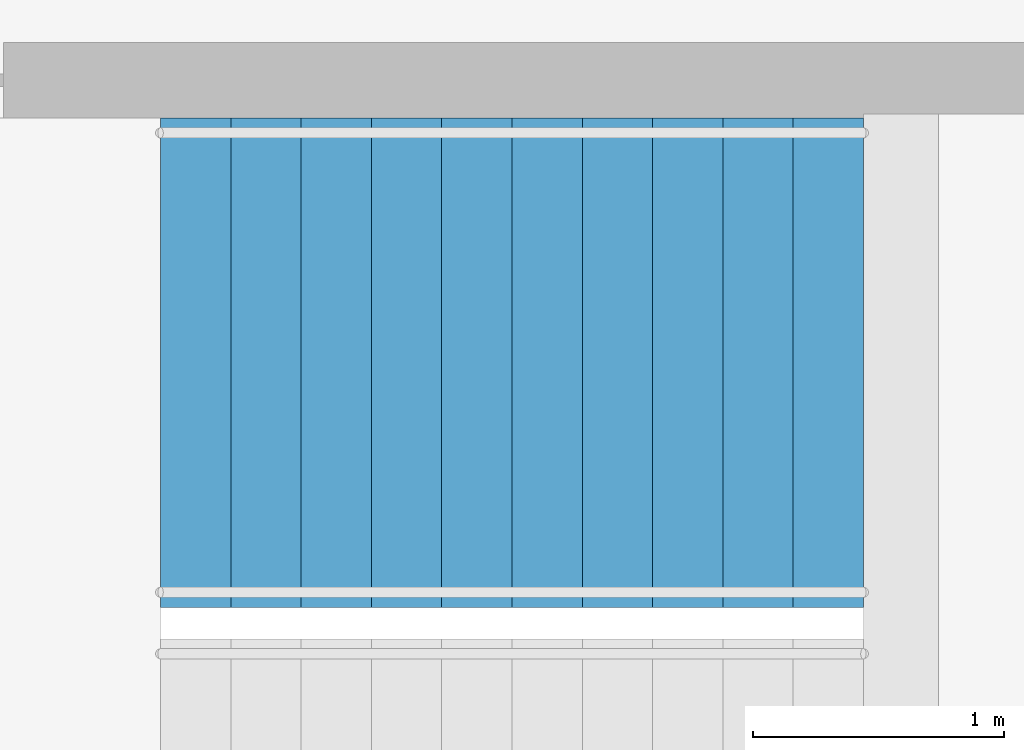
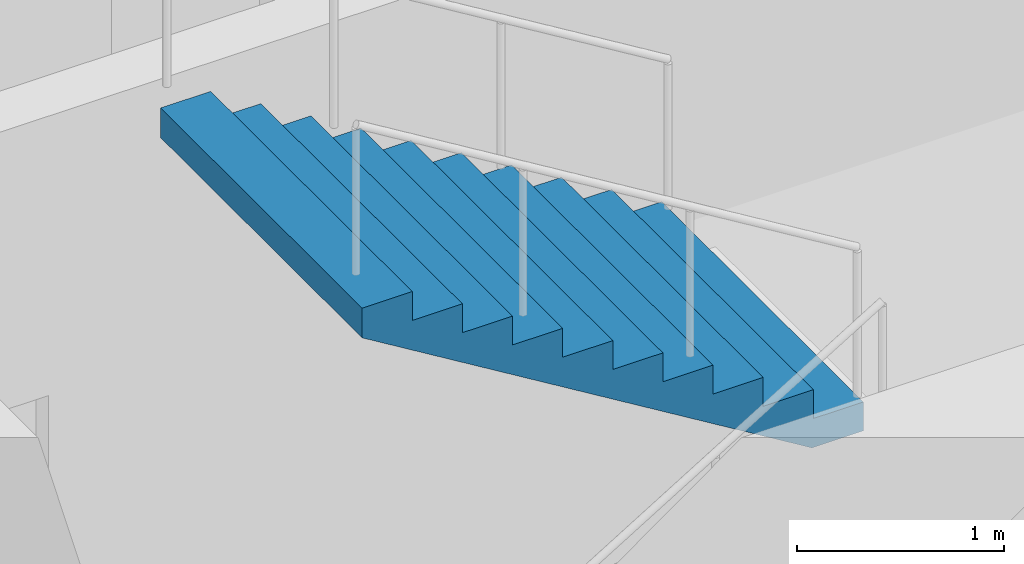
# One storey, part 19 of 22: 1 stair flight, 1 element without a shape of its own.
"""IFC4 building model written with IfcOpenShell, lengths in metres."""

from ifc_helpers import new_model, si_unit, direction, frame, origin, place, context, subcontext, project, spatial, triangles, material, type_object, element, aggregate, save


model = new_model("IFC4")

# Units and contexts
model_context = context("Model", 3, precision=1e-05, world=origin(), true_north=direction((0.0, 1.0)))
body_context = subcontext(model_context, "Body", "Model", "MODEL_VIEW")
ifc_project = project(units=[si_unit("LENGTHUNIT", "METRE"), si_unit("AREAUNIT", "SQUARE_METRE"), si_unit("VOLUMEUNIT", "CUBIC_METRE"), si_unit("PLANEANGLEUNIT", "RADIAN"), si_unit("MASSUNIT", "GRAM", prefix="KILO")], contexts=[model_context])

# Site, building, storey
site_placement = place(None, origin())
site = spatial("IfcSite", under=ifc_project, at=site_placement, CompositionType="ELEMENT")
building_placement = place(site_placement, origin())
building = spatial("IfcBuilding", under=site, at=building_placement, Name="Orbita Commons", CompositionType="ELEMENT")
storey_placement = place(building_placement, frame((0.0, 0.0, 186.10009765625)))
storey = spatial("IfcBuildingStorey", under=building, at=storey_placement, Name="L46", CompositionType="ELEMENT", Elevation=186.10009765625)

# Stair, stair flight
ifc_material_1 = material(Name="Precast concrete C40/50", Category="concrete")
stair_type = type_object("IfcStairType", Name="Exit stair S1 2 flights 11 risers 170", PredefinedType="HALF_TURN_STAIR", material=ifc_material_1)
stair_placement = place(storey_placement, origin())
stair = element("IfcStair", 1, at=stair_placement, inside=storey, type_object=stair_type, Name="Exit stair S1 L46", PredefinedType="HALF_TURN_STAIR")
ifc_material_2 = material(Name="Precast concrete C40/50", Category="concrete")
stair_flight_type = type_object("IfcStairFlightType", Name="Stair flight 11 risers 170 x 280", PredefinedType="STRAIGHT", material=ifc_material_2)
stair_flight_placement = place(storey_placement, frame((23.25, 29.27490234375, 1.875), z_axis=(0.0, 0.0, 1.0), x_axis=(-1.0, 0.0, 0.0)))
stair_flight = element("IfcStairFlight", 2, at=stair_flight_placement, type_object=stair_flight_type, Name="S1 flight 2", NumberOfRisers=11, NumberOfTreads=10, PredefinedType="STRAIGHT", RiserHeight=0.170454545, TreadLength=0.28, context=body_context, shape_type="Tessellation", body=[
    triangles([(0.0, 0.974976, 0.0), (0.0, 0.974976, 0.021307), (0.0, 0.81248, 0.021307), (0.0, 0.81248, 0.0), (0.0, 0.649984, 0.021307), (0.0, 0.649984, 0.0), (0.0, 0.487488, 0.021307), (0.0, 0.487488, 0.0), (0.0, 0.324992, 0.021307), (0.0, 0.324992, 0.0), (0.0, 0.162496, 0.021307), (0.0, 0.162496, 0.0), (0.0, 0.0, 0.021307), (0.0, 0.0, 0.0), (0.0, -0.162496, 0.021307), (0.0, -0.162496, 0.0), (0.0, -0.324992, 0.021307), (0.0, -0.324992, 0.0), (0.0, -0.487488, 0.021307), (0.0, -0.487488, 0.0), (0.0, -0.649984, 0.021307), (0.0, -0.649984, 0.0), (0.0, -0.81248, 0.021307), (0.0, -0.81248, 0.0), (0.0, -0.974976, 0.021307), (0.0, -0.974976, 0.0), (0.0, 0.974976, 0.042614), (0.0, 0.81248, 0.042614), (0.0, 0.649984, 0.042614), (0.0, 0.487488, 0.042614), (0.0, 0.324992, 0.042614), (0.0, 0.162496, 0.042614), (0.0, 0.0, 0.042614), (0.0, -0.162496, 0.042614), (0.0, -0.324992, 0.042614), (0.0, -0.487488, 0.042614), (0.0, -0.649984, 0.042614), (0.0, -0.81248, 0.042614), (0.0, -0.974976, 0.042614), (0.0, 0.974976, 0.06392), (0.0, 0.81248, 0.06392), (0.0, 0.649984, 0.06392), (0.0, 0.487488, 0.06392), (0.0, 0.324992, 0.06392), (0.0, 0.162496, 0.06392), (0.0, 0.0, 0.06392), (0.0, -0.162496, 0.06392), (0.0, -0.324992, 0.06392), (0.0, -0.487488, 0.06392), (0.0, -0.649984, 0.06392), (0.0, -0.81248, 0.06392), (0.0, -0.974976, 0.06392), (0.0, 0.974976, 0.085227), (0.0, 0.81248, 0.085227), (0.0, 0.649984, 0.085227), (0.0, 0.487488, 0.085227), (0.0, 0.324992, 0.085227), (0.0, 0.162496, 0.085227), (0.0, 0.0, 0.085227), (0.0, -0.162496, 0.085227), (0.0, -0.324992, 0.085227), (0.0, -0.487488, 0.085227), (0.0, -0.649984, 0.085227), (0.0, -0.81248, 0.085227), (0.0, -0.974976, 0.085227), (0.0, 0.974976, 0.106534), (0.0, 0.81248, 0.106534), (0.0, 0.649984, 0.106534), (0.0, 0.487488, 0.106534), (0.0, 0.324992, 0.106534), (0.0, 0.162496, 0.106534), (0.0, 0.0, 0.106534), (0.0, -0.162496, 0.106534), (0.0, -0.324992, 0.106534), (0.0, -0.487488, 0.106534), (0.0, -0.649984, 0.106534), (0.0, -0.81248, 0.106534), (0.0, -0.974976, 0.106534), (0.0, 0.974976, 0.127841), (0.0, 0.81248, 0.127841), (0.0, 0.649984, 0.127841), (0.0, 0.487488, 0.127841), (0.0, 0.324992, 0.127841), (0.0, 0.162496, 0.127841), (0.0, 0.0, 0.127841), (0.0, -0.162496, 0.127841), (0.0, -0.324992, 0.127841), (0.0, -0.487488, 0.127841), (0.0, -0.649984, 0.127841), (0.0, -0.81248, 0.127841), (0.0, -0.974976, 0.127841), (0.0, 0.974976, 0.149148), (0.0, 0.81248, 0.149148), (0.0, 0.649984, 0.149148), (0.0, 0.487488, 0.149148), (0.0, 0.324992, 0.149148), (0.0, 0.162496, 0.149148), (0.0, 0.0, 0.149148), (0.0, -0.162496, 0.149148), (0.0, -0.324992, 0.149148), (0.0, -0.487488, 0.149148), (0.0, -0.649984, 0.149148), (0.0, -0.81248, 0.149148), (0.0, -0.974976, 0.149148), (0.0, 0.974976, 0.170455), (0.0, 0.81248, 0.170455), (0.0, 0.649984, 0.170455), (0.0, 0.487488, 0.170455), (0.0, 0.324992, 0.170455), (0.0, 0.162496, 0.170455), (0.0, 0.0, 0.170455), (0.0, -0.162496, 0.170455), (0.0, -0.324992, 0.170455), (0.0, -0.487488, 0.170455), (0.0, -0.649984, 0.170455), (0.0, -0.81248, 0.170455), (0.0, -0.974976, 0.170455), (0.28, 0.974976, 0.170455), (0.28, 0.81248, 0.170455), (0.28, 0.649984, 0.170455), (0.28, 0.487488, 0.170455), (0.28, 0.324992, 0.170455), (0.28, 0.162496, 0.170455), (0.28, 0.0, 0.170455), (0.28, -0.162496, 0.170455), (0.28, -0.324992, 0.170455), (0.28, -0.487488, 0.170455), (0.28, -0.649984, 0.170455), (0.28, -0.81248, 0.170455), (0.28, -0.974976, 0.170455), (0.28, 0.974976, 0.340909), (0.28, 0.81248, 0.340909), (0.28, 0.649984, 0.340909), (0.28, 0.487488, 0.340909), (0.28, 0.324992, 0.340909), (0.28, 0.162496, 0.340909), (0.28, 0.0, 0.340909), (0.28, -0.162496, 0.340909), (0.28, -0.324992, 0.340909), (0.28, -0.487488, 0.340909), (0.28, -0.649984, 0.340909), (0.28, -0.81248, 0.340909), (0.28, -0.974976, 0.340909), (0.56, 0.974976, 0.340909), (0.56, 0.81248, 0.340909), (0.56, 0.649984, 0.340909), (0.56, 0.487488, 0.340909), (0.56, 0.324992, 0.340909), (0.56, 0.162496, 0.340909), (0.56, 0.0, 0.340909), (0.56, -0.162496, 0.340909), (0.56, -0.324992, 0.340909), (0.56, -0.487488, 0.340909), (0.56, -0.649984, 0.340909), (0.56, -0.81248, 0.340909), (0.56, -0.974976, 0.340909), (0.56, 0.974976, 0.511364), (0.56, 0.81248, 0.511364), (0.56, 0.649984, 0.511364), (0.56, 0.487488, 0.511364), (0.56, 0.324992, 0.511364), (0.56, 0.162496, 0.511364), (0.56, 0.0, 0.511364), (0.56, -0.162496, 0.511364), (0.56, -0.324992, 0.511364), (0.56, -0.487488, 0.511364), (0.56, -0.649984, 0.511364), (0.56, -0.81248, 0.511364), (0.56, -0.974976, 0.511364), (0.84, 0.974976, 0.511364), (0.84, 0.81248, 0.511364), (0.84, 0.649984, 0.511364), (0.84, 0.487488, 0.511364), (0.84, 0.324992, 0.511364), (0.84, 0.162496, 0.511364), (0.84, 0.0, 0.511364), (0.84, -0.162496, 0.511364), (0.84, -0.324992, 0.511364), (0.84, -0.487488, 0.511364), (0.84, -0.649984, 0.511364), (0.84, -0.81248, 0.511364), (0.84, -0.974976, 0.511364), (0.84, 0.974976, 0.681818), (0.84, 0.81248, 0.681818), (0.84, 0.649984, 0.681818), (0.84, 0.487488, 0.681818), (0.84, 0.324992, 0.681818), (0.84, 0.162496, 0.681818), (0.84, 0.0, 0.681818), (0.84, -0.162496, 0.681818), (0.84, -0.324992, 0.681818), (0.84, -0.487488, 0.681818), (0.84, -0.649984, 0.681818), (0.84, -0.81248, 0.681818), (0.84, -0.974976, 0.681818), (1.12, 0.974976, 0.681818), (1.12, 0.81248, 0.681818), (1.12, 0.649984, 0.681818), (1.12, 0.487488, 0.681818), (1.12, 0.324992, 0.681818), (1.12, 0.162496, 0.681818), (1.12, 0.0, 0.681818), (1.12, -0.162496, 0.681818), (1.12, -0.324992, 0.681818), (1.12, -0.487488, 0.681818), (1.12, -0.649984, 0.681818), (1.12, -0.81248, 0.681818), (1.12, -0.974976, 0.681818), (1.12, 0.974976, 0.852273), (1.12, 0.81248, 0.852273), (1.12, 0.649984, 0.852273), (1.12, 0.487488, 0.852273), (1.12, 0.324992, 0.852273), (1.12, 0.162496, 0.852273), (1.12, 0.0, 0.852273), (1.12, -0.162496, 0.852273), (1.12, -0.324992, 0.852273), (1.12, -0.487488, 0.852273), (1.12, -0.649984, 0.852273), (1.12, -0.81248, 0.852273), (1.12, -0.974976, 0.852273), (1.4, 0.974976, 0.852273), (1.4, 0.81248, 0.852273), (1.4, 0.649984, 0.852273), (1.4, 0.487488, 0.852273), (1.4, 0.324992, 0.852273), (1.4, 0.162496, 0.852273), (1.4, 0.0, 0.852273), (1.4, -0.162496, 0.852273), (1.4, -0.324992, 0.852273), (1.4, -0.487488, 0.852273), (1.4, -0.649984, 0.852273), (1.4, -0.81248, 0.852273), (1.4, -0.974976, 0.852273), (1.4, 0.974976, 1.022727), (1.4, 0.81248, 1.022727), (1.4, 0.649984, 1.022727), (1.4, 0.487488, 1.022727), (1.4, 0.324992, 1.022727), (1.4, 0.162496, 1.022727), (1.4, 0.0, 1.022727), (1.4, -0.162496, 1.022727), (1.4, -0.324992, 1.022727), (1.4, -0.487488, 1.022727), (1.4, -0.649984, 1.022727), (1.4, -0.81248, 1.022727), (1.4, -0.974976, 1.022727), (1.68, 0.974976, 1.022727), (1.68, 0.81248, 1.022727), (1.68, 0.649984, 1.022727), (1.68, 0.487488, 1.022727), (1.68, 0.324992, 1.022727), (1.68, 0.162496, 1.022727), (1.68, 0.0, 1.022727), (1.68, -0.162496, 1.022727), (1.68, -0.324992, 1.022727), (1.68, -0.487488, 1.022727), (1.68, -0.649984, 1.022727), (1.68, -0.81248, 1.022727), (1.68, -0.974976, 1.022727), (1.68, 0.974976, 1.193182), (1.68, 0.81248, 1.193182), (1.68, 0.649984, 1.193182), (1.68, 0.487488, 1.193182), (1.68, 0.324992, 1.193182), (1.68, 0.162496, 1.193182), (1.68, 0.0, 1.193182), (1.68, -0.162496, 1.193182), (1.68, -0.324992, 1.193182), (1.68, -0.487488, 1.193182), (1.68, -0.649984, 1.193182), (1.68, -0.81248, 1.193182), (1.68, -0.974976, 1.193182), (1.96, 0.974976, 1.193182), (1.96, 0.81248, 1.193182), (1.96, 0.649984, 1.193182), (1.96, 0.487488, 1.193182), (1.96, 0.324992, 1.193182), (1.96, 0.162496, 1.193182), (1.96, 0.0, 1.193182), (1.96, -0.162496, 1.193182), (1.96, -0.324992, 1.193182), (1.96, -0.487488, 1.193182), (1.96, -0.649984, 1.193182), (1.96, -0.81248, 1.193182), (1.96, -0.974976, 1.193182), (1.96, 0.974976, 1.363636), (1.96, 0.81248, 1.363636), (1.96, 0.649984, 1.363636), (1.96, 0.487488, 1.363636), (1.96, 0.324992, 1.363636), (1.96, 0.162496, 1.363636), (1.96, 0.0, 1.363636), (1.96, -0.162496, 1.363636), (1.96, -0.324992, 1.363636), (1.96, -0.487488, 1.363636), (1.96, -0.649984, 1.363636), (1.96, -0.81248, 1.363636), (1.96, -0.974976, 1.363636), (2.24, 0.974976, 1.363636), (2.24, 0.81248, 1.363636), (2.24, 0.649984, 1.363636), (2.24, 0.487488, 1.363636), (2.24, 0.324992, 1.363636), (2.24, 0.162496, 1.363636), (2.24, 0.0, 1.363636), (2.24, -0.162496, 1.363636), (2.24, -0.324992, 1.363636), (2.24, -0.487488, 1.363636), (2.24, -0.649984, 1.363636), (2.24, -0.81248, 1.363636), (2.24, -0.974976, 1.363636), (2.24, 0.974976, 1.534091), (2.24, 0.81248, 1.534091), (2.24, 0.649984, 1.534091), (2.24, 0.487488, 1.534091), (2.24, 0.324992, 1.534091), (2.24, 0.162496, 1.534091), (2.24, 0.0, 1.534091), (2.24, -0.162496, 1.534091), (2.24, -0.324992, 1.534091), (2.24, -0.487488, 1.534091), (2.24, -0.649984, 1.534091), (2.24, -0.81248, 1.534091), (2.24, -0.974976, 1.534091), (2.52, 0.974976, 1.534091), (2.52, 0.81248, 1.534091), (2.52, 0.649984, 1.534091), (2.52, 0.487488, 1.534091), (2.52, 0.324992, 1.534091), (2.52, 0.162496, 1.534091), (2.52, 0.0, 1.534091), (2.52, -0.162496, 1.534091), (2.52, -0.324992, 1.534091), (2.52, -0.487488, 1.534091), (2.52, -0.649984, 1.534091), (2.52, -0.81248, 1.534091), (2.52, -0.974976, 1.534091), (2.52, 0.974976, 1.704545), (2.52, 0.81248, 1.704545), (2.52, 0.649984, 1.704545), (2.52, 0.487488, 1.704545), (2.52, 0.324992, 1.704545), (2.52, 0.162496, 1.704545), (2.52, 0.0, 1.704545), (2.52, -0.162496, 1.704545), (2.52, -0.324992, 1.704545), (2.52, -0.487488, 1.704545), (2.52, -0.649984, 1.704545), (2.52, -0.81248, 1.704545), (2.52, -0.974976, 1.704545), (2.8, 0.974976, 1.704545), (2.8, 0.81248, 1.704545), (2.8, 0.649984, 1.704545), (2.8, 0.487488, 1.704545), (2.8, 0.324992, 1.704545), (2.8, 0.162496, 1.704545), (2.8, 0.0, 1.704545), (2.8, -0.162496, 1.704545), (2.8, -0.324992, 1.704545), (2.8, -0.487488, 1.704545), (2.8, -0.649984, 1.704545), (2.8, -0.81248, 1.704545), (2.8, -0.974976, 1.704545), (2.8, 0.974976, 1.682609), (2.8, 0.81248, 1.682609), (2.8, 0.649984, 1.682609), (2.8, 0.487488, 1.682609), (2.8, 0.324992, 1.682609), (2.8, 0.162496, 1.682609), (2.8, 0.0, 1.682609), (2.8, -0.162496, 1.682609), (2.8, -0.324992, 1.682609), (2.8, -0.487488, 1.682609), (2.8, -0.649984, 1.682609), (2.8, -0.81248, 1.682609), (2.8, -0.974976, 1.682609), (2.8, 0.974976, 1.660672), (2.8, 0.81248, 1.660672), (2.8, 0.649984, 1.660672), (2.8, 0.487488, 1.660672), (2.8, 0.324992, 1.660672), (2.8, 0.162496, 1.660672), (2.8, 0.0, 1.660672), (2.8, -0.162496, 1.660672), (2.8, -0.324992, 1.660672), (2.8, -0.487488, 1.660672), (2.8, -0.649984, 1.660672), (2.8, -0.81248, 1.660672), (2.8, -0.974976, 1.660672), (2.8, 0.974976, 1.638735), (2.8, 0.81248, 1.638735), (2.8, 0.649984, 1.638735), (2.8, 0.487488, 1.638735), (2.8, 0.324992, 1.638735), (2.8, 0.162496, 1.638735), (2.8, 0.0, 1.638735), (2.8, -0.162496, 1.638735), (2.8, -0.324992, 1.638735), (2.8, -0.487488, 1.638735), (2.8, -0.649984, 1.638735), (2.8, -0.81248, 1.638735), (2.8, -0.974976, 1.638735), (2.8, 0.974976, 1.616798), (2.8, 0.81248, 1.616798), (2.8, 0.649984, 1.616798), (2.8, 0.487488, 1.616798), (2.8, 0.324992, 1.616798), (2.8, 0.162496, 1.616798), (2.8, 0.0, 1.616798), (2.8, -0.162496, 1.616798), (2.8, -0.324992, 1.616798), (2.8, -0.487488, 1.616798), (2.8, -0.649984, 1.616798), (2.8, -0.81248, 1.616798), (2.8, -0.974976, 1.616798), (2.8, 0.974976, 1.594861), (2.8, 0.81248, 1.594861), (2.8, 0.649984, 1.594861), (2.8, 0.487488, 1.594861), (2.8, 0.324992, 1.594861), (2.8, 0.162496, 1.594861), (2.8, 0.0, 1.594861), (2.8, -0.162496, 1.594861), (2.8, -0.324992, 1.594861), (2.8, -0.487488, 1.594861), (2.8, -0.649984, 1.594861), (2.8, -0.81248, 1.594861), (2.8, -0.974976, 1.594861), (2.8, 0.974976, 1.572925), (2.8, 0.81248, 1.572925), (2.8, 0.649984, 1.572925), (2.8, 0.487488, 1.572925), (2.8, 0.324992, 1.572925), (2.8, 0.162496, 1.572925), (2.8, 0.0, 1.572925), (2.8, -0.162496, 1.572925), (2.8, -0.324992, 1.572925), (2.8, -0.487488, 1.572925), (2.8, -0.649984, 1.572925), (2.8, -0.81248, 1.572925), (2.8, -0.974976, 1.572925), (2.8, 0.974976, 1.550988), (2.8, 0.81248, 1.550988), (2.8, 0.649984, 1.550988), (2.8, 0.487488, 1.550988), (2.8, 0.324992, 1.550988), (2.8, 0.162496, 1.550988), (2.8, 0.0, 1.550988), (2.8, -0.162496, 1.550988), (2.8, -0.324992, 1.550988), (2.8, -0.487488, 1.550988), (2.8, -0.649984, 1.550988), (2.8, -0.81248, 1.550988), (2.8, -0.974976, 1.550988), (2.8, 0.974976, 1.529051), (2.8, 0.81248, 1.529051), (2.8, 0.649984, 1.529051), (2.8, 0.487488, 1.529051), (2.8, 0.324992, 1.529051), (2.8, 0.162496, 1.529051), (2.8, 0.0, 1.529051), (2.8, -0.162496, 1.529051), (2.8, -0.324992, 1.529051), (2.8, -0.487488, 1.529051), (2.8, -0.649984, 1.529051), (2.8, -0.81248, 1.529051), (2.8, -0.974976, 1.529051), (0.288279, 0.974976, 0.0), (0.288279, 0.81248, 0.0), (0.288279, 0.649984, 0.0), (0.288279, 0.487488, 0.0), (0.288279, 0.324992, 0.0), (0.288279, 0.162496, 0.0), (0.288279, 0.0, 0.0), (0.288279, -0.162496, 0.0), (0.288279, -0.324992, 0.0), (0.288279, -0.487488, 0.0), (0.288279, -0.649984, 0.0), (0.288279, -0.81248, 0.0), (0.288279, -0.974976, 0.0)], [[3, 2, 1], [4, 3, 1], [5, 3, 4], [6, 5, 4], [7, 5, 6], [8, 7, 6], [9, 7, 8], [10, 9, 8], [11, 9, 10], [12, 11, 10], [13, 11, 12], [14, 13, 12], [15, 13, 14], [16, 15, 14], [17, 15, 16], [18, 17, 16], [19, 17, 18], [20, 19, 18], [21, 19, 20], [22, 21, 20], [23, 21, 22], [24, 23, 22], [25, 23, 24], [26, 25, 24], [28, 27, 2], [3, 28, 2], [29, 28, 3], [5, 29, 3], [30, 29, 5], [7, 30, 5], [31, 30, 7], [9, 31, 7], [32, 31, 9], [11, 32, 9], [33, 32, 11], [13, 33, 11], [34, 33, 13], [15, 34, 13], [35, 34, 15], [17, 35, 15], [36, 35, 17], [19, 36, 17], [37, 36, 19], [21, 37, 19], [38, 37, 21], [23, 38, 21], [39, 38, 23], [25, 39, 23], [41, 40, 27], [28, 41, 27], [42, 41, 28], [29, 42, 28], [43, 42, 29], [30, 43, 29], [44, 43, 30], [31, 44, 30], [45, 44, 31], [32, 45, 31], [46, 45, 32], [33, 46, 32], [47, 46, 33], [34, 47, 33], [48, 47, 34], [35, 48, 34], [49, 48, 35], [36, 49, 35], [50, 49, 36], [37, 50, 36], [51, 50, 37], [38, 51, 37], [52, 51, 38], [39, 52, 38], [54, 53, 40], [41, 54, 40], [55, 54, 41], [42, 55, 41], [56, 55, 42], [43, 56, 42], [57, 56, 43], [44, 57, 43], [58, 57, 44], [45, 58, 44], [59, 58, 45], [46, 59, 45], [60, 59, 46], [47, 60, 46], [61, 60, 47], [48, 61, 47], [62, 61, 48], [49, 62, 48], [63, 62, 49], [50, 63, 49], [64, 63, 50], [51, 64, 50], [65, 64, 51], [52, 65, 51], [67, 66, 53], [54, 67, 53], [68, 67, 54], [55, 68, 54], [69, 68, 55], [56, 69, 55], [70, 69, 56], [57, 70, 56], [71, 70, 57], [58, 71, 57], [72, 71, 58], [59, 72, 58], [73, 72, 59], [60, 73, 59], [74, 73, 60], [61, 74, 60], [75, 74, 61], [62, 75, 61], [76, 75, 62], [63, 76, 62], [77, 76, 63], [64, 77, 63], [78, 77, 64], [65, 78, 64], [80, 79, 66], [67, 80, 66], [81, 80, 67], [68, 81, 67], [82, 81, 68], [69, 82, 68], [83, 82, 69], [70, 83, 69], [84, 83, 70], [71, 84, 70], [85, 84, 71], [72, 85, 71], [86, 85, 72], [73, 86, 72], [87, 86, 73], [74, 87, 73], [88, 87, 74], [75, 88, 74], [89, 88, 75], [76, 89, 75], [90, 89, 76], [77, 90, 76], [91, 90, 77], [78, 91, 77], [93, 92, 79], [80, 93, 79], [94, 93, 80], [81, 94, 80], [95, 94, 81], [82, 95, 81], [96, 95, 82], [83, 96, 82], [97, 96, 83], [84, 97, 83], [98, 97, 84], [85, 98, 84], [99, 98, 85], [86, 99, 85], [100, 99, 86], [87, 100, 86], [101, 100, 87], [88, 101, 87], [102, 101, 88], [89, 102, 88], [103, 102, 89], [90, 103, 89], [104, 103, 90], [91, 104, 90], [106, 105, 92], [93, 106, 92], [107, 106, 93], [94, 107, 93], [108, 107, 94], [95, 108, 94], [109, 108, 95], [96, 109, 95], [110, 109, 96], [97, 110, 96], [111, 110, 97], [98, 111, 97], [112, 111, 98], [99, 112, 98], [113, 112, 99], [100, 113, 99], [114, 113, 100], [101, 114, 100], [115, 114, 101], [102, 115, 101], [116, 115, 102], [103, 116, 102], [117, 116, 103], [104, 117, 103], [119, 118, 105], [106, 119, 105], [120, 119, 106], [107, 120, 106], [121, 120, 107], [108, 121, 107], [122, 121, 108], [109, 122, 108], [123, 122, 109], [110, 123, 109], [124, 123, 110], [111, 124, 110], [125, 124, 111], [112, 125, 111], [126, 125, 112], [113, 126, 112], [127, 126, 113], [114, 127, 113], [128, 127, 114], [115, 128, 114], [129, 128, 115], [116, 129, 115], [130, 129, 116], [117, 130, 116], [132, 131, 118], [119, 132, 118], [133, 132, 119], [120, 133, 119], [134, 133, 120], [121, 134, 120], [135, 134, 121], [122, 135, 121], [136, 135, 122], [123, 136, 122], [137, 136, 123], [124, 137, 123], [138, 137, 124], [125, 138, 124], [139, 138, 125], [126, 139, 125], [140, 139, 126], [127, 140, 126], [141, 140, 127], [128, 141, 127], [142, 141, 128], [129, 142, 128], [143, 142, 129], [130, 143, 129], [145, 144, 131], [132, 145, 131], [146, 145, 132], [133, 146, 132], [147, 146, 133], [134, 147, 133], [148, 147, 134], [135, 148, 134], [149, 148, 135], [136, 149, 135], [150, 149, 136], [137, 150, 136], [151, 150, 137], [138, 151, 137], [152, 151, 138], [139, 152, 138], [153, 152, 139], [140, 153, 139], [154, 153, 140], [141, 154, 140], [155, 154, 141], [142, 155, 141], [156, 155, 142], [143, 156, 142], [158, 157, 144], [145, 158, 144], [159, 158, 145], [146, 159, 145], [160, 159, 146], [147, 160, 146], [161, 160, 147], [148, 161, 147], [162, 161, 148], [149, 162, 148], [163, 162, 149], [150, 163, 149], [164, 163, 150], [151, 164, 150], [165, 164, 151], [152, 165, 151], [166, 165, 152], [153, 166, 152], [167, 166, 153], [154, 167, 153], [168, 167, 154], [155, 168, 154], [169, 168, 155], [156, 169, 155], [171, 170, 157], [158, 171, 157], [172, 171, 158], [159, 172, 158], [173, 172, 159], [160, 173, 159], [174, 173, 160], [161, 174, 160], [175, 174, 161], [162, 175, 161], [176, 175, 162], [163, 176, 162], [177, 176, 163], [164, 177, 163], [178, 177, 164], [165, 178, 164], [179, 178, 165], [166, 179, 165], [180, 179, 166], [167, 180, 166], [181, 180, 167], [168, 181, 167], [182, 181, 168], [169, 182, 168], [184, 183, 170], [171, 184, 170], [185, 184, 171], [172, 185, 171], [186, 185, 172], [173, 186, 172], [187, 186, 173], [174, 187, 173], [188, 187, 174], [175, 188, 174], [189, 188, 175], [176, 189, 175], [190, 189, 176], [177, 190, 176], [191, 190, 177], [178, 191, 177], [192, 191, 178], [179, 192, 178], [193, 192, 179], [180, 193, 179], [194, 193, 180], [181, 194, 180], [195, 194, 181], [182, 195, 181], [197, 196, 183], [184, 197, 183], [198, 197, 184], [185, 198, 184], [199, 198, 185], [186, 199, 185], [200, 199, 186], [187, 200, 186], [201, 200, 187], [188, 201, 187], [202, 201, 188], [189, 202, 188], [203, 202, 189], [190, 203, 189], [204, 203, 190], [191, 204, 190], [205, 204, 191], [192, 205, 191], [206, 205, 192], [193, 206, 192], [207, 206, 193], [194, 207, 193], [208, 207, 194], [195, 208, 194], [210, 209, 196], [197, 210, 196], [211, 210, 197], [198, 211, 197], [212, 211, 198], [199, 212, 198], [213, 212, 199], [200, 213, 199], [214, 213, 200], [201, 214, 200], [215, 214, 201], [202, 215, 201], [216, 215, 202], [203, 216, 202], [217, 216, 203], [204, 217, 203], [218, 217, 204], [205, 218, 204], [219, 218, 205], [206, 219, 205], [220, 219, 206], [207, 220, 206], [221, 220, 207], [208, 221, 207], [223, 222, 209], [210, 223, 209], [224, 223, 210], [211, 224, 210], [225, 224, 211], [212, 225, 211], [226, 225, 212], [213, 226, 212], [227, 226, 213], [214, 227, 213], [228, 227, 214], [215, 228, 214], [229, 228, 215], [216, 229, 215], [230, 229, 216], [217, 230, 216], [231, 230, 217], [218, 231, 217], [232, 231, 218], [219, 232, 218], [233, 232, 219], [220, 233, 219], [234, 233, 220], [221, 234, 220], [236, 235, 222], [223, 236, 222], [237, 236, 223], [224, 237, 223], [238, 237, 224], [225, 238, 224], [239, 238, 225], [226, 239, 225], [240, 239, 226], [227, 240, 226], [241, 240, 227], [228, 241, 227], [242, 241, 228], [229, 242, 228], [243, 242, 229], [230, 243, 229], [244, 243, 230], [231, 244, 230], [245, 244, 231], [232, 245, 231], [246, 245, 232], [233, 246, 232], [247, 246, 233], [234, 247, 233], [249, 248, 235], [236, 249, 235], [250, 249, 236], [237, 250, 236], [251, 250, 237], [238, 251, 237], [252, 251, 238], [239, 252, 238], [253, 252, 239], [240, 253, 239], [254, 253, 240], [241, 254, 240], [255, 254, 241], [242, 255, 241], [256, 255, 242], [243, 256, 242], [257, 256, 243], [244, 257, 243], [258, 257, 244], [245, 258, 244], [259, 258, 245], [246, 259, 245], [260, 259, 246], [247, 260, 246], [262, 261, 248], [249, 262, 248], [263, 262, 249], [250, 263, 249], [264, 263, 250], [251, 264, 250], [265, 264, 251], [252, 265, 251], [266, 265, 252], [253, 266, 252], [267, 266, 253], [254, 267, 253], [268, 267, 254], [255, 268, 254], [269, 268, 255], [256, 269, 255], [270, 269, 256], [257, 270, 256], [271, 270, 257], [258, 271, 257], [272, 271, 258], [259, 272, 258], [273, 272, 259], [260, 273, 259], [275, 274, 261], [262, 275, 261], [276, 275, 262], [263, 276, 262], [277, 276, 263], [264, 277, 263], [278, 277, 264], [265, 278, 264], [279, 278, 265], [266, 279, 265], [280, 279, 266], [267, 280, 266], [281, 280, 267], [268, 281, 267], [282, 281, 268], [269, 282, 268], [283, 282, 269], [270, 283, 269], [284, 283, 270], [271, 284, 270], [285, 284, 271], [272, 285, 271], [286, 285, 272], [273, 286, 272], [288, 287, 274], [275, 288, 274], [289, 288, 275], [276, 289, 275], [290, 289, 276], [277, 290, 276], [291, 290, 277], [278, 291, 277], [292, 291, 278], [279, 292, 278], [293, 292, 279], [280, 293, 279], [294, 293, 280], [281, 294, 280], [295, 294, 281], [282, 295, 281], [296, 295, 282], [283, 296, 282], [297, 296, 283], [284, 297, 283], [298, 297, 284], [285, 298, 284], [299, 298, 285], [286, 299, 285], [301, 300, 287], [288, 301, 287], [302, 301, 288], [289, 302, 288], [303, 302, 289], [290, 303, 289], [304, 303, 290], [291, 304, 290], [305, 304, 291], [292, 305, 291], [306, 305, 292], [293, 306, 292], [307, 306, 293], [294, 307, 293], [308, 307, 294], [295, 308, 294], [309, 308, 295], [296, 309, 295], [310, 309, 296], [297, 310, 296], [311, 310, 297], [298, 311, 297], [312, 311, 298], [299, 312, 298], [314, 313, 300], [301, 314, 300], [315, 314, 301], [302, 315, 301], [316, 315, 302], [303, 316, 302], [317, 316, 303], [304, 317, 303], [318, 317, 304], [305, 318, 304], [319, 318, 305], [306, 319, 305], [320, 319, 306], [307, 320, 306], [321, 320, 307], [308, 321, 307], [322, 321, 308], [309, 322, 308], [323, 322, 309], [310, 323, 309], [324, 323, 310], [311, 324, 310], [325, 324, 311], [312, 325, 311], [327, 326, 313], [314, 327, 313], [328, 327, 314], [315, 328, 314], [329, 328, 315], [316, 329, 315], [330, 329, 316], [317, 330, 316], [331, 330, 317], [318, 331, 317], [332, 331, 318], [319, 332, 318], [333, 332, 319], [320, 333, 319], [334, 333, 320], [321, 334, 320], [335, 334, 321], [322, 335, 321], [336, 335, 322], [323, 336, 322], [337, 336, 323], [324, 337, 323], [338, 337, 324], [325, 338, 324], [340, 339, 326], [327, 340, 326], [341, 340, 327], [328, 341, 327], [342, 341, 328], [329, 342, 328], [343, 342, 329], [330, 343, 329], [344, 343, 330], [331, 344, 330], [345, 344, 331], [332, 345, 331], [346, 345, 332], [333, 346, 332], [347, 346, 333], [334, 347, 333], [348, 347, 334], [335, 348, 334], [349, 348, 335], [336, 349, 335], [350, 349, 336], [337, 350, 336], [351, 350, 337], [338, 351, 337], [353, 352, 339], [340, 353, 339], [354, 353, 340], [341, 354, 340], [355, 354, 341], [342, 355, 341], [356, 355, 342], [343, 356, 342], [357, 356, 343], [344, 357, 343], [358, 357, 344], [345, 358, 344], [359, 358, 345], [346, 359, 345], [360, 359, 346], [347, 360, 346], [361, 360, 347], [348, 361, 347], [362, 361, 348], [349, 362, 348], [363, 362, 349], [350, 363, 349], [364, 363, 350], [351, 364, 350], [366, 365, 352], [353, 366, 352], [367, 366, 353], [354, 367, 353], [368, 367, 354], [355, 368, 354], [369, 368, 355], [356, 369, 355], [370, 369, 356], [357, 370, 356], [371, 370, 357], [358, 371, 357], [372, 371, 358], [359, 372, 358], [373, 372, 359], [360, 373, 359], [374, 373, 360], [361, 374, 360], [375, 374, 361], [362, 375, 361], [376, 375, 362], [363, 376, 362], [377, 376, 363], [364, 377, 363], [379, 378, 365], [366, 379, 365], [380, 379, 366], [367, 380, 366], [381, 380, 367], [368, 381, 367], [382, 381, 368], [369, 382, 368], [383, 382, 369], [370, 383, 369], [384, 383, 370], [371, 384, 370], [385, 384, 371], [372, 385, 371], [386, 385, 372], [373, 386, 372], [387, 386, 373], [374, 387, 373], [388, 387, 374], [375, 388, 374], [389, 388, 375], [376, 389, 375], [390, 389, 376], [377, 390, 376], [392, 391, 378], [379, 392, 378], [393, 392, 379], [380, 393, 379], [394, 393, 380], [381, 394, 380], [395, 394, 381], [382, 395, 381], [396, 395, 382], [383, 396, 382], [397, 396, 383], [384, 397, 383], [398, 397, 384], [385, 398, 384], [399, 398, 385], [386, 399, 385], [400, 399, 386], [387, 400, 386], [401, 400, 387], [388, 401, 387], [402, 401, 388], [389, 402, 388], [403, 402, 389], [390, 403, 389], [405, 404, 391], [392, 405, 391], [406, 405, 392], [393, 406, 392], [407, 406, 393], [394, 407, 393], [408, 407, 394], [395, 408, 394], [409, 408, 395], [396, 409, 395], [410, 409, 396], [397, 410, 396], [411, 410, 397], [398, 411, 397], [412, 411, 398], [399, 412, 398], [413, 412, 399], [400, 413, 399], [414, 413, 400], [401, 414, 400], [415, 414, 401], [402, 415, 401], [416, 415, 402], [403, 416, 402], [418, 417, 404], [405, 418, 404], [419, 418, 405], [406, 419, 405], [420, 419, 406], [407, 420, 406], [421, 420, 407], [408, 421, 407], [422, 421, 408], [409, 422, 408], [423, 422, 409], [410, 423, 409], [424, 423, 410], [411, 424, 410], [425, 424, 411], [412, 425, 411], [426, 425, 412], [413, 426, 412], [427, 426, 413], [414, 427, 413], [428, 427, 414], [415, 428, 414], [429, 428, 415], [416, 429, 415], [431, 430, 417], [418, 431, 417], [432, 431, 418], [419, 432, 418], [433, 432, 419], [420, 433, 419], [434, 433, 420], [421, 434, 420], [435, 434, 421], [422, 435, 421], [436, 435, 422], [423, 436, 422], [437, 436, 423], [424, 437, 423], [438, 437, 424], [425, 438, 424], [439, 438, 425], [426, 439, 425], [440, 439, 426], [427, 440, 426], [441, 440, 427], [428, 441, 427], [442, 441, 428], [429, 442, 428], [444, 443, 430], [431, 444, 430], [445, 444, 431], [432, 445, 431], [446, 445, 432], [433, 446, 432], [447, 446, 433], [434, 447, 433], [448, 447, 434], [435, 448, 434], [449, 448, 435], [436, 449, 435], [450, 449, 436], [437, 450, 436], [451, 450, 437], [438, 451, 437], [452, 451, 438], [439, 452, 438], [453, 452, 439], [440, 453, 439], [454, 453, 440], [441, 454, 440], [455, 454, 441], [442, 455, 441], [457, 456, 443], [444, 457, 443], [458, 457, 444], [445, 458, 444], [459, 458, 445], [446, 459, 445], [460, 459, 446], [447, 460, 446], [461, 460, 447], [448, 461, 447], [462, 461, 448], [449, 462, 448], [463, 462, 449], [450, 463, 449], [464, 463, 450], [451, 464, 450], [465, 464, 451], [452, 465, 451], [466, 465, 452], [453, 466, 452], [467, 466, 453], [454, 467, 453], [468, 467, 454], [455, 468, 454], [470, 469, 456], [457, 470, 456], [471, 470, 457], [458, 471, 457], [472, 471, 458], [459, 472, 458], [473, 472, 459], [460, 473, 459], [474, 473, 460], [461, 474, 460], [475, 474, 461], [462, 475, 461], [476, 475, 462], [463, 476, 462], [477, 476, 463], [464, 477, 463], [478, 477, 464], [465, 478, 464], [479, 478, 465], [466, 479, 465], [480, 479, 466], [467, 480, 466], [481, 480, 467], [468, 481, 467], [4, 1, 469], [470, 4, 469], [6, 4, 470], [471, 6, 470], [8, 6, 471], [472, 8, 471], [10, 8, 472], [473, 10, 472], [12, 10, 473], [474, 12, 473], [14, 12, 474], [475, 14, 474], [16, 14, 475], [476, 16, 475], [18, 16, 476], [477, 18, 476], [20, 18, 477], [478, 20, 477], [22, 20, 478], [479, 22, 478], [24, 22, 479], [480, 24, 479], [26, 24, 480], [481, 26, 480], [456, 469, 1], [26, 481, 468], [443, 456, 1], [26, 468, 455], [430, 443, 1], [26, 455, 442], [417, 430, 1], [26, 442, 429], [404, 417, 1], [26, 429, 416], [391, 404, 1], [26, 416, 403], [378, 391, 1], [26, 403, 390], [365, 378, 1], [26, 390, 377], [339, 352, 365], [377, 364, 351], [326, 339, 365], [377, 351, 338], [300, 313, 326], [338, 325, 312], [300, 326, 365], [377, 338, 312], [274, 287, 300], [312, 299, 286], [274, 300, 365], [377, 312, 286], [248, 261, 274], [286, 273, 260], [248, 274, 365], [377, 286, 260], [222, 235, 248], [260, 247, 234], [222, 248, 365], [377, 260, 234], [196, 209, 222], [234, 221, 208], [196, 222, 365], [377, 234, 208], [170, 183, 196], [208, 195, 182], [170, 196, 365], [377, 208, 182], [144, 157, 170], [182, 169, 156], [144, 170, 365], [377, 182, 156], [118, 131, 144], [156, 143, 130], [118, 144, 365], [377, 156, 130], [118, 365, 1], [26, 377, 130], [92, 105, 118], [130, 117, 104], [79, 92, 118], [130, 104, 91], [66, 79, 118], [130, 91, 78], [53, 66, 118], [130, 78, 65], [40, 53, 118], [130, 65, 52], [27, 40, 118], [130, 52, 39], [2, 27, 118], [130, 39, 25], [1, 2, 118], [130, 25, 26]], closed=True),
])
aggregate(stair, [stair_flight])

save(model, "model.ifc")
